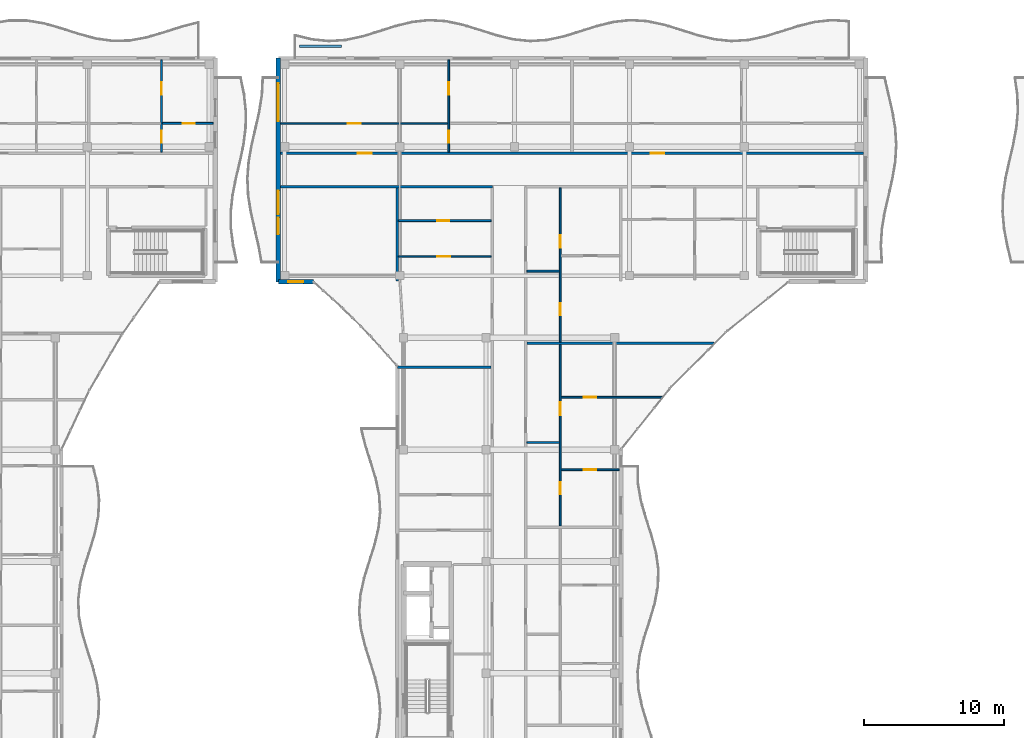
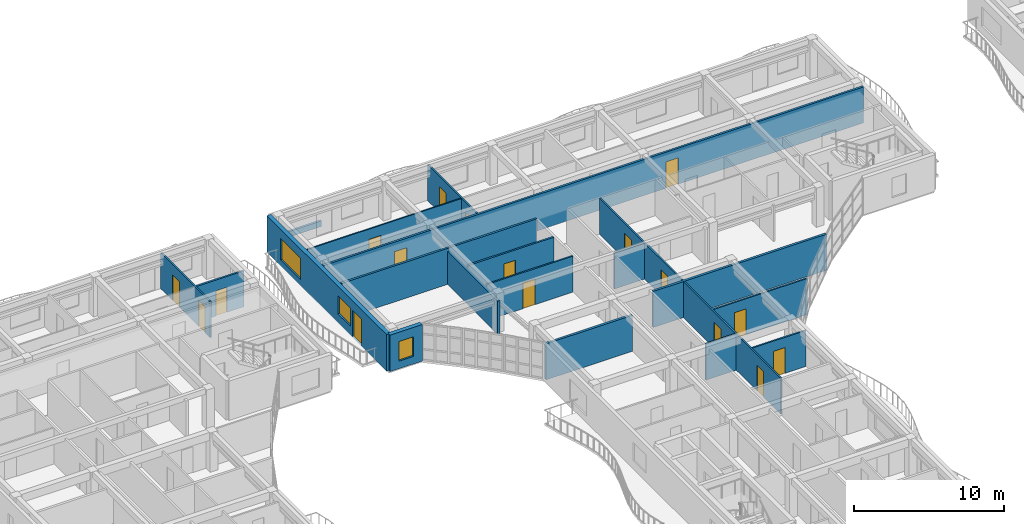
# One storey, part 35 of 72: 20 walls, 17 doors, 3 windows, 20 openings.
"""IFC4 building model written with IfcOpenShell, lengths in metres."""

from ifc_helpers import new_model, si_unit, direction, frame, frame_2d, origin, place, context, subcontext, project, spatial, rectangle, extrude, material, layer, layer_set, type_object, element, fill, save


model = new_model("IFC4")

# Units and contexts
model_context = context("Model", 3, precision=1e-05, world=origin(), true_north=direction((0.0, 1.0)))
body_context = subcontext(model_context, "Body", "Model", "MODEL_VIEW")
ifc_project = project(units=[si_unit("LENGTHUNIT", "METRE"), si_unit("AREAUNIT", "SQUARE_METRE"), si_unit("VOLUMEUNIT", "CUBIC_METRE"), si_unit("PLANEANGLEUNIT", "RADIAN"), si_unit("MASSUNIT", "GRAM", prefix="KILO")], contexts=[model_context])

# Site, building, storey
site_placement = place(None, origin())
site = spatial("IfcSite", under=ifc_project, at=site_placement, CompositionType="ELEMENT")
building_placement = place(site_placement, origin())
building = spatial("IfcBuilding", under=site, at=building_placement, Name="Keldmere Railside Commons", CompositionType="ELEMENT")
storey_placement = place(building_placement, frame((0.0, 0.0, 16.9599609375)))
storey = spatial("IfcBuildingStorey", under=building, at=storey_placement, Name="L05", CompositionType="ELEMENT", Elevation=16.9599609375)

# Walls
ifc_material_1 = material(Name="Acoustic Gypsum Board Partition", Category="gypsum")
ifc_layer_1 = layer(ifc_material_1, 0.179931640625, Name="Acoustic Demising Partition 180")
ifc_layer_set_1 = layer_set([ifc_layer_1], Name="Acoustic Gypsum Board Partition")
wall_type_1 = type_object("IfcWallType", Name="Acoustic Demising Partition 180", PredefinedType="PARTITIONING", material=ifc_layer_set_1)
wall_1_placement = place(storey_placement, frame((48.0, 100.050048828125, 0.0), z_axis=(0.0, 0.0, 1.0), x_axis=(0.0, 1.0, 0.0)))
element("IfcWall", 1, at=wall_1_placement, inside=storey, type_object=wall_type_1, Name="IW-1 IW-L05-0690", PredefinedType="PARTITIONING", context=body_context, shape_type="SweptSolid", body=[
    extrude(rectangle(XDim=6.669921875, YDim=0.179931640625, at=frame_2d((3.3349609375, 0.0))), origin(), (0.0, 0.0, 1.0), 2.679931640625),
])
wall_2_placement = place(storey_placement, frame((57.280029296875, 95.60009765625, 0.0), z_axis=(0.0, 0.0, 1.0), x_axis=(1.0, 0.0, 0.0)))
element("IfcWall", 2, at=wall_2_placement, inside=storey, type_object=wall_type_1, Name="IW-1 IW-L05-0695", PredefinedType="PARTITIONING", context=body_context, shape_type="SweptSolid", body=[
    extrude(rectangle(XDim=13.387451171875, YDim=0.179931640625, at=frame_2d((6.69384765625, 0.0))), origin(), (0.0, 0.0, 1.0), 2.93505859375),
])
wall_3_placement = place(storey_placement, frame((48.0400390625, 93.89990234375, 0.0), z_axis=(0.0, 0.0, 1.0), x_axis=(1.0, 0.0, 0.0)))
element("IfcWall", 3, at=wall_3_placement, inside=storey, type_object=wall_type_1, Name="IW-1 IW-L05-0717", PredefinedType="PARTITIONING", context=body_context, shape_type="SweptSolid", body=[
    extrude(rectangle(XDim=6.679931640625, YDim=0.179931640625, at=frame_2d((3.33984375, 0.0))), origin(), (0.0, 0.0, 1.0), 2.93505859375),
])

# Wall, openings, doors
ifc_layer_2 = layer(ifc_material_1, 0.1201171875, Name="Apartment Interior Partition 120")
ifc_layer_set_2 = layer_set([ifc_layer_2], Name="Acoustic Gypsum Board Partition")
wall_type_2 = type_object("IfcWallType", Name="Apartment Interior Partition 120", PredefinedType="PARTITIONING", material=ifc_layer_set_2)
wall_4_placement = place(storey_placement, frame((31.139892578125, 109.280029296875, 0.0), z_axis=(0.0, 0.0, 1.0), x_axis=(0.0, 1.0, 0.0)))
wall_4 = element("IfcWall", 4, at=wall_4_placement, inside=storey, type_object=wall_type_2, Name="IW-4 IW-L05-0397", PredefinedType="PARTITIONING", context=body_context, shape_type="SweptSolid", body=[
    extrude(rectangle(XDim=6.599853515625, YDim=0.1201171875, at=frame_2d((3.2998046875, 0.0))), origin(), (0.0, 0.0, 1.0), 2.93505859375),
])
opening_1_placement = place(wall_4_placement, frame((0.656005859375, 0.0, 0.0)))
opening_1 = element("IfcOpeningElement", 5, at=opening_1_placement, cuts=wall_4, Name="Opening ID-04", PredefinedType="OPENING", context=body_context, shape_type="SweptSolid", body=[
    extrude(rectangle(XDim=0.860107421875, YDim=2.10009765625, at=frame_2d((0.43017578125, 1.050048828125))), frame((0.0, 0.070068359375, 0.0), z_axis=(0.0, -1.0, 0.0), x_axis=(1.0, 0.0, 0.0)), (0.0, 0.0, 1.0), 0.14013671875),
])
opening_2_placement = place(wall_4_placement, frame((4.097412109375, 0.0, 0.0)))
opening_2 = element("IfcOpeningElement", 6, at=opening_2_placement, cuts=wall_4, Name="Opening ID-01", PredefinedType="OPENING", context=body_context, shape_type="SweptSolid", body=[
    extrude(rectangle(XDim=0.89990234375, YDim=2.10009765625, at=frame_2d((0.449951171875, 1.050048828125))), frame((0.0, 0.070068359375, 0.0), z_axis=(0.0, -1.0, 0.0), x_axis=(1.0, 0.0, 0.0)), (0.0, 0.0, 1.0), 0.14013671875),
])
ifc_material_2 = material(Name="Engineered Oak Timber", Category="wood")
door_type_1 = type_object("IfcDoorType", Name="Apartment Bathroom Door 860x2100", OperationType="NOTDEFINED", PredefinedType="DOOR", material=ifc_material_2)
door_1_placement = place(opening_1_placement, origin())
door_1 = element("IfcDoor", 7, at=door_1_placement, inside=storey, type_object=door_type_1, Name="ID-04 IDR-L05-0303", OperationType="SINGLE_SWING_LEFT", OverallHeight=2.10009765625, OverallWidth=0.860107421875, PredefinedType="DOOR", context=body_context, shape_type="SweptSolid", body=[
    extrude(rectangle(XDim=0.860107421875, YDim=2.10009765625, at=frame_2d((0.43017578125, 1.050048828125))), frame((0.0, 0.02490234375, 0.0), z_axis=(0.0, -1.0, 0.0), x_axis=(1.0, 0.0, 0.0)), (0.0, 0.0, 1.0), 0.050048828125),
])
fill(opening_1, door_1)
door_type_2 = type_object("IfcDoorType", Name="Primary Bedroom Door 900x2100", OperationType="NOTDEFINED", PredefinedType="DOOR", material=ifc_material_2)
door_2_placement = place(opening_2_placement, origin())
door_2 = element("IfcDoor", 8, at=door_2_placement, inside=storey, type_object=door_type_2, Name="ID-01 IDR-L05-0304", OperationType="SINGLE_SWING_RIGHT", OverallHeight=2.10009765625, OverallWidth=0.89990234375, PredefinedType="DOOR", context=body_context, shape_type="SweptSolid", body=[
    extrude(rectangle(XDim=0.89990234375, YDim=2.10009765625, at=frame_2d((0.449951171875, 1.050048828125))), frame((0.0, 0.02490234375, 0.0), z_axis=(0.0, -1.0, 0.0), x_axis=(1.0, 0.0, 0.0)), (0.0, 0.0, 1.0), 0.050048828125),
])
fill(opening_2, door_2)

wall_5_placement = place(storey_placement, frame((59.659912109375, 82.5400390625, 0.0), z_axis=(0.0, 0.0, 1.0), x_axis=(0.0, 1.0, 0.0)))
wall_5 = element("IfcWall", 9, at=wall_5_placement, inside=storey, type_object=wall_type_2, Name="IW-4 IW-L05-0700", PredefinedType="PARTITIONING", context=body_context, shape_type="SweptSolid", body=[
    extrude(rectangle(XDim=12.969970703125, YDim=0.1201171875, at=frame_2d((6.48486328125, 0.0))), origin(), (0.0, 0.0, 1.0), 2.93505859375),
])
opening_3_placement = place(wall_5_placement, frame((2.2685546875, 0.0, 0.0)))
opening_3 = element("IfcOpeningElement", 10, at=opening_3_placement, cuts=wall_5, Name="Opening ID-04", PredefinedType="OPENING", context=body_context, shape_type="SweptSolid", body=[
    extrude(rectangle(XDim=0.860107421875, YDim=2.10009765625, at=frame_2d((0.43017578125, 1.050048828125))), frame((0.0, 0.070068359375, 0.0), z_axis=(0.0, -1.0, 0.0), x_axis=(1.0, 0.0, 0.0)), (0.0, 0.0, 1.0), 0.14013671875),
])
opening_4_placement = place(wall_5_placement, frame((7.929931640625, 0.0, 0.0)))
opening_4 = element("IfcOpeningElement", 11, at=opening_4_placement, cuts=wall_5, Name="Opening ID-03", PredefinedType="OPENING", context=body_context, shape_type="SweptSolid", body=[
    extrude(rectangle(XDim=0.919921875, YDim=2.10009765625, at=frame_2d((0.4599609375, 1.050048828125))), frame((0.0, 0.070068359375, 0.0), z_axis=(0.0, -1.0, 0.0), x_axis=(1.0, 0.0, 0.0)), (0.0, 0.0, 1.0), 0.14013671875),
])
door_3_placement = place(opening_3_placement, origin())
door_3 = element("IfcDoor", 12, at=door_3_placement, inside=storey, type_object=door_type_1, Name="ID-04 IDR-L05-0584", OperationType="SINGLE_SWING_RIGHT", OverallHeight=2.10009765625, OverallWidth=0.860107421875, PredefinedType="DOOR", context=body_context, shape_type="SweptSolid", body=[
    extrude(rectangle(XDim=0.860107421875, YDim=2.10009765625, at=frame_2d((0.43017578125, 1.050048828125))), frame((0.0, 0.02490234375, 0.0), z_axis=(0.0, -1.0, 0.0), x_axis=(1.0, 0.0, 0.0)), (0.0, 0.0, 1.0), 0.050048828125),
])
fill(opening_3, door_3)
door_type_3 = type_object("IfcDoorType", Name="Kitchen Pocket-Frame Swing Door 920x2100", OperationType="NOTDEFINED", PredefinedType="DOOR", material=ifc_material_2)
door_4_placement = place(opening_4_placement, origin())
door_4 = element("IfcDoor", 13, at=door_4_placement, inside=storey, type_object=door_type_3, Name="ID-03 IDR-L05-0585", OperationType="SINGLE_SWING_LEFT", OverallHeight=2.10009765625, OverallWidth=0.919921875, PredefinedType="DOOR", context=body_context, shape_type="SweptSolid", body=[
    extrude(rectangle(XDim=0.919921875, YDim=2.10009765625, at=frame_2d((0.4599609375, 1.050048828125))), frame((0.0, 0.02490234375, 0.0), z_axis=(0.0, -1.0, 0.0), x_axis=(1.0, 0.0, 0.0)), (0.0, 0.0, 1.0), 0.050048828125),
])
fill(opening_4, door_4)

# Wall, opening, door
wall_6_placement = place(storey_placement, frame((59.719970703125, 86.56005859375, 0.0), z_axis=(0.0, 0.0, 1.0), x_axis=(1.0, 0.0, 0.0)))
wall_6 = element("IfcWall", 14, at=wall_6_placement, inside=storey, type_object=wall_type_2, Name="IW-4 IW-L05-0702", PredefinedType="PARTITIONING", context=body_context, shape_type="SweptSolid", body=[
    extrude(rectangle(XDim=4.150146484375, YDim=0.1201171875, at=frame_2d((2.0751953125, 0.0))), origin(), (0.0, 0.0, 1.0), 2.93505859375),
])
opening_5_placement = place(wall_6_placement, frame((1.625, 0.0, 0.0)))
opening_5 = element("IfcOpeningElement", 15, at=opening_5_placement, cuts=wall_6, Name="Opening ID-01", PredefinedType="OPENING", context=body_context, shape_type="SweptSolid", body=[
    extrude(rectangle(XDim=0.89990234375, YDim=2.10009765625, at=frame_2d((0.449951171875, 1.050048828125))), frame((0.0, 0.070068359375, 0.0), z_axis=(0.0, -1.0, 0.0), x_axis=(1.0, 0.0, 0.0)), (0.0, 0.0, 1.0), 0.14013671875),
])
door_5_placement = place(opening_5_placement, origin())
door_5 = element("IfcDoor", 16, at=door_5_placement, inside=storey, type_object=door_type_2, Name="ID-01 IDR-L05-0587", OperationType="SINGLE_SWING_LEFT", OverallHeight=2.10009765625, OverallWidth=0.89990234375, PredefinedType="DOOR", context=body_context, shape_type="SweptSolid", body=[
    extrude(rectangle(XDim=0.89990234375, YDim=2.10009765625, at=frame_2d((0.449951171875, 1.050048828125))), frame((0.0, 0.02490234375, 0.0), z_axis=(0.0, -1.0, 0.0), x_axis=(1.0, 0.0, 0.0)), (0.0, 0.0, 1.0), 0.050048828125),
])
fill(opening_5, door_5)

wall_7_placement = place(storey_placement, frame((59.719970703125, 91.75, 0.0), z_axis=(0.0, 0.0, 1.0), x_axis=(1.0, 0.0, 0.0)))
wall_7 = element("IfcWall", 17, at=wall_7_placement, inside=storey, type_object=wall_type_2, Name="IW-4 IW-L05-0703", PredefinedType="PARTITIONING", context=body_context, shape_type="SweptSolid", body=[
    extrude(rectangle(XDim=7.2373046875, YDim=0.1201171875, at=frame_2d((3.61865234375, 0.0))), origin(), (0.0, 0.0, 1.0), 2.93505859375),
])
opening_6_placement = place(wall_7_placement, frame((1.635009765625, 0.0, 0.0)))
opening_6 = element("IfcOpeningElement", 18, at=opening_6_placement, cuts=wall_7, Name="Opening ID-02", PredefinedType="OPENING", context=body_context, shape_type="SweptSolid", body=[
    extrude(rectangle(XDim=0.8798828125, YDim=2.10009765625, at=frame_2d((0.43994140625, 1.050048828125))), frame((0.0, 0.070068359375, 0.0), z_axis=(0.0, -1.0, 0.0), x_axis=(1.0, 0.0, 0.0)), (0.0, 0.0, 1.0), 0.14013671875),
])
door_type_4 = type_object("IfcDoorType", Name="Secondary Bedroom Door 880x2100", OperationType="NOTDEFINED", PredefinedType="DOOR", material=ifc_material_2)
door_6_placement = place(opening_6_placement, origin())
door_6 = element("IfcDoor", 19, at=door_6_placement, inside=storey, type_object=door_type_4, Name="ID-02 IDR-L05-0588", OperationType="SINGLE_SWING_RIGHT", OverallHeight=2.10009765625, OverallWidth=0.8798828125, PredefinedType="DOOR", context=body_context, shape_type="SweptSolid", body=[
    extrude(rectangle(XDim=0.8798828125, YDim=2.10009765625, at=frame_2d((0.43994140625, 1.050048828125))), frame((0.0, 0.02490234375, 0.0), z_axis=(0.0, -1.0, 0.0), x_axis=(1.0, 0.0, 0.0)), (0.0, 0.0, 1.0), 0.050048828125),
])
fill(opening_6, door_6)

# Wall, openings, doors
wall_8_placement = place(storey_placement, frame((59.659912109375, 95.68994140625, 0.0), z_axis=(0.0, 0.0, 1.0), x_axis=(0.0, 1.0, 0.0)))
wall_8 = element("IfcWall", 20, at=wall_8_placement, inside=storey, type_object=wall_type_2, Name="IW-4 IW-L05-0704", PredefinedType="PARTITIONING", context=body_context, shape_type="SweptSolid", body=[
    extrude(rectangle(XDim=11.030029296875, YDim=0.1201171875, at=frame_2d((5.51513671875, 0.0))), origin(), (0.0, 0.0, 1.0), 2.93505859375),
])
opening_7_placement = place(wall_8_placement, frame((1.926513671875, 0.0, 0.0)))
opening_7 = element("IfcOpeningElement", 21, at=opening_7_placement, cuts=wall_8, Name="Opening ID-04", PredefinedType="OPENING", context=body_context, shape_type="SweptSolid", body=[
    extrude(rectangle(XDim=0.860107421875, YDim=2.10009765625, at=frame_2d((0.43017578125, 1.050048828125))), frame((0.0, 0.070068359375, 0.0), z_axis=(0.0, -1.0, 0.0), x_axis=(1.0, 0.0, 0.0)), (0.0, 0.0, 1.0), 0.14013671875),
])
opening_8_placement = place(wall_8_placement, frame((6.73876953125, 0.0, 0.0)))
opening_8 = element("IfcOpeningElement", 22, at=opening_8_placement, cuts=wall_8, Name="Opening ID-03", PredefinedType="OPENING", context=body_context, shape_type="SweptSolid", body=[
    extrude(rectangle(XDim=0.919921875, YDim=2.10009765625, at=frame_2d((0.4599609375, 1.050048828125))), frame((0.0, 0.070068359375, 0.0), z_axis=(0.0, -1.0, 0.0), x_axis=(1.0, 0.0, 0.0)), (0.0, 0.0, 1.0), 0.14013671875),
])
door_7_placement = place(opening_7_placement, origin())
door_7 = element("IfcDoor", 23, at=door_7_placement, inside=storey, type_object=door_type_1, Name="ID-04 IDR-L05-0589", OperationType="SINGLE_SWING_LEFT", OverallHeight=2.10009765625, OverallWidth=0.860107421875, PredefinedType="DOOR", context=body_context, shape_type="SweptSolid", body=[
    extrude(rectangle(XDim=0.860107421875, YDim=2.10009765625, at=frame_2d((0.43017578125, 1.050048828125))), frame((0.0, 0.02490234375, 0.0), z_axis=(0.0, -1.0, 0.0), x_axis=(1.0, 0.0, 0.0)), (0.0, 0.0, 1.0), 0.050048828125),
])
fill(opening_7, door_7)
door_8_placement = place(opening_8_placement, origin())
door_8 = element("IfcDoor", 24, at=door_8_placement, inside=storey, type_object=door_type_3, Name="ID-03 IDR-L05-0590", OperationType="SINGLE_SWING_RIGHT", OverallHeight=2.10009765625, OverallWidth=0.919921875, PredefinedType="DOOR", context=body_context, shape_type="SweptSolid", body=[
    extrude(rectangle(XDim=0.919921875, YDim=2.10009765625, at=frame_2d((0.4599609375, 1.050048828125))), frame((0.0, 0.02490234375, 0.0), z_axis=(0.0, -1.0, 0.0), x_axis=(1.0, 0.0, 0.0)), (0.0, 0.0, 1.0), 0.050048828125),
])
fill(opening_8, door_8)

wall_9_placement = place(storey_placement, frame((51.68994140625, 109.280029296875, 0.0), z_axis=(0.0, 0.0, 1.0), x_axis=(0.0, 1.0, 0.0)))
wall_9 = element("IfcWall", 25, at=wall_9_placement, inside=storey, type_object=wall_type_2, Name="IW-4 IW-L05-0708", PredefinedType="PARTITIONING", context=body_context, shape_type="SweptSolid", body=[
    extrude(rectangle(XDim=6.590087890625, YDim=0.1201171875, at=frame_2d((3.294921875, 0.0))), origin(), (0.0, 0.0, 1.0), 2.93505859375),
])
opening_9_placement = place(wall_9_placement, frame((0.656005859375, 0.0, 0.0)))
opening_9 = element("IfcOpeningElement", 26, at=opening_9_placement, cuts=wall_9, Name="Opening ID-04", PredefinedType="OPENING", context=body_context, shape_type="SweptSolid", body=[
    extrude(rectangle(XDim=0.860107421875, YDim=2.10009765625, at=frame_2d((0.43017578125, 1.050048828125))), frame((0.0, 0.070068359375, 0.0), z_axis=(0.0, -1.0, 0.0), x_axis=(1.0, 0.0, 0.0)), (0.0, 0.0, 1.0), 0.14013671875),
])
opening_10_placement = place(wall_9_placement, frame((4.093017578125, 0.0, 0.0)))
opening_10 = element("IfcOpeningElement", 27, at=opening_10_placement, cuts=wall_9, Name="Opening ID-01", PredefinedType="OPENING", context=body_context, shape_type="SweptSolid", body=[
    extrude(rectangle(XDim=0.89990234375, YDim=2.10009765625, at=frame_2d((0.449951171875, 1.050048828125))), frame((0.0, 0.070068359375, 0.0), z_axis=(0.0, -1.0, 0.0), x_axis=(1.0, 0.0, 0.0)), (0.0, 0.0, 1.0), 0.14013671875),
])
door_9_placement = place(opening_9_placement, origin())
door_9 = element("IfcDoor", 28, at=door_9_placement, inside=storey, type_object=door_type_1, Name="ID-04 IDR-L05-0595", OperationType="SINGLE_SWING_LEFT", OverallHeight=2.10009765625, OverallWidth=0.860107421875, PredefinedType="DOOR", context=body_context, shape_type="SweptSolid", body=[
    extrude(rectangle(XDim=0.860107421875, YDim=2.10009765625, at=frame_2d((0.43017578125, 1.050048828125))), frame((0.0, 0.02490234375, 0.0), z_axis=(0.0, -1.0, 0.0), x_axis=(1.0, 0.0, 0.0)), (0.0, 0.0, 1.0), 0.050048828125),
])
fill(opening_9, door_9)
door_10_placement = place(opening_10_placement, origin())
door_10 = element("IfcDoor", 29, at=door_10_placement, inside=storey, type_object=door_type_2, Name="ID-01 IDR-L05-0596", OperationType="SINGLE_SWING_RIGHT", OverallHeight=2.10009765625, OverallWidth=0.89990234375, PredefinedType="DOOR", context=body_context, shape_type="SweptSolid", body=[
    extrude(rectangle(XDim=0.89990234375, YDim=2.10009765625, at=frame_2d((0.449951171875, 1.050048828125))), frame((0.0, 0.02490234375, 0.0), z_axis=(0.0, -1.0, 0.0), x_axis=(1.0, 0.0, 0.0)), (0.0, 0.0, 1.0), 0.050048828125),
])
fill(opening_10, door_10)

# Wall, opening, door
wall_10_placement = place(storey_placement, frame((48.090087890625, 101.820068359375, 0.0), z_axis=(0.0, 0.0, 1.0), x_axis=(1.0, 0.0, 0.0)))
wall_10 = element("IfcWall", 30, at=wall_10_placement, inside=storey, type_object=wall_type_2, Name="IW-4 IW-L05-0720", PredefinedType="PARTITIONING", context=body_context, shape_type="SweptSolid", body=[
    extrude(rectangle(XDim=6.6298828125, YDim=0.1201171875, at=frame_2d((3.31494140625, 0.0))), origin(), (0.0, 0.0, 1.0), 2.93505859375),
])
opening_11_placement = place(wall_10_placement, frame((2.78466796875, 0.0, 0.0)))
opening_11 = element("IfcOpeningElement", 31, at=opening_11_placement, cuts=wall_10, Name="Opening ID-03", PredefinedType="OPENING", context=body_context, shape_type="SweptSolid", body=[
    extrude(rectangle(XDim=0.919921875, YDim=2.10009765625, at=frame_2d((0.4599609375, 1.050048828125))), frame((0.0, 0.070068359375, 0.0), z_axis=(0.0, -1.0, 0.0), x_axis=(1.0, 0.0, 0.0)), (0.0, 0.0, 1.0), 0.14013671875),
])
door_11_placement = place(opening_11_placement, origin())
door_11 = element("IfcDoor", 32, at=door_11_placement, inside=storey, type_object=door_type_3, Name="ID-03 IDR-L05-0612", OperationType="SINGLE_SWING_RIGHT", OverallHeight=2.10009765625, OverallWidth=0.919921875, PredefinedType="DOOR", context=body_context, shape_type="SweptSolid", body=[
    extrude(rectangle(XDim=0.919921875, YDim=2.10009765625, at=frame_2d((0.4599609375, 1.050048828125))), frame((0.0, 0.02490234375, 0.0), z_axis=(0.0, -1.0, 0.0), x_axis=(1.0, 0.0, 0.0)), (0.0, 0.0, 1.0), 0.050048828125),
])
fill(opening_11, door_11)

# Wall
ifc_material_3 = material(Name="White Precast Concrete H-35 (C35/45)", Category="concrete")
ifc_layer_3 = layer(ifc_material_3, 0.169921875, Name="Balcony Planter Kerb Wall 170")
ifc_layer_set_3 = layer_set([ifc_layer_3], Name="White Precast Concrete H-35 (C35/45)")
wall_type_3 = type_object("IfcWallType", Name="Balcony Planter Kerb Wall 170", PredefinedType="PARAPET", material=ifc_layer_set_3)
wall_11_placement = place(storey_placement, frame((41.0, 116.85009765625, 0.0), z_axis=(0.0, 0.0, 1.0), x_axis=(1.0, 0.0, 0.0)))
element("IfcWall", 33, at=wall_11_placement, inside=storey, type_object=wall_type_3, Name="PW-2 PKBC-L05-0370", PredefinedType="PARAPET", context=body_context, shape_type="SweptSolid", body=[
    extrude(rectangle(XDim=3.0, YDim=0.169921875, at=frame_2d((1.5, 0.0))), origin(), (0.0, 0.0, 1.0), 0.449951171875),
])

# Wall, opening, door
ifc_layer_4 = layer(ifc_material_1, 0.10009765625, Name="Closet Light Partition 100")
ifc_layer_set_4 = layer_set([ifc_layer_4], Name="Acoustic Gypsum Board Partition")
wall_type_4 = type_object("IfcWallType", Name="Closet Light Partition 100", PredefinedType="PARTITIONING", material=ifc_layer_set_4)
wall_12_placement = place(storey_placement, frame((39.659912109375, 111.330078125, 0.0), z_axis=(0.0, 0.0, 1.0), x_axis=(1.0, 0.0, 0.0)))
wall_12 = element("IfcWall", 34, at=wall_12_placement, inside=storey, type_object=wall_type_4, Name="IW-6 IW-L05-0710", PredefinedType="PARTITIONING", context=body_context, shape_type="SweptSolid", body=[
    extrude(rectangle(XDim=11.969970703125, YDim=0.10009765625, at=frame_2d((5.98486328125, 0.0))), origin(), (0.0, 0.0, 1.0), 2.93505859375),
])
opening_12_placement = place(wall_12_placement, frame((4.81201171875, 0.0, 0.0)))
opening_12 = element("IfcOpeningElement", 35, at=opening_12_placement, cuts=wall_12, Name="Opening ID-03", PredefinedType="OPENING", context=body_context, shape_type="SweptSolid", body=[
    extrude(rectangle(XDim=0.919921875, YDim=2.10009765625, at=frame_2d((0.4599609375, 1.050048828125))), frame((0.0, 0.06005859375, 0.0), z_axis=(0.0, -1.0, 0.0), x_axis=(1.0, 0.0, 0.0)), (0.0, 0.0, 1.0), 0.1201171875),
])
door_12_placement = place(opening_12_placement, origin())
door_12 = element("IfcDoor", 36, at=door_12_placement, inside=storey, type_object=door_type_3, Name="ID-03 IDR-L05-0594", OperationType="SINGLE_SWING_RIGHT", OverallHeight=2.10009765625, OverallWidth=0.919921875, PredefinedType="DOOR", context=body_context, shape_type="SweptSolid", body=[
    extrude(rectangle(XDim=0.919921875, YDim=2.10009765625, at=frame_2d((0.4599609375, 1.050048828125))), frame((0.0, 0.02490234375, 0.0), z_axis=(0.0, -1.0, 0.0), x_axis=(1.0, 0.0, 0.0)), (0.0, 0.0, 1.0), 0.050048828125),
])
fill(opening_12, door_12)

# Wall
ifc_layer_5 = layer(ifc_material_1, 0.159912109375, Name="Corridor Fire Partition 160")
ifc_layer_set_5 = layer_set([ifc_layer_5], Name="Acoustic Gypsum Board Partition")
wall_type_5 = type_object("IfcWallType", Name="Corridor Fire Partition 160", PredefinedType="PARTITIONING", material=ifc_layer_set_5)
wall_13_placement = place(storey_placement, frame((39.659912109375, 106.800048828125, 0.0), z_axis=(0.0, 0.0, 1.0), x_axis=(1.0, 0.0, 0.0)))
element("IfcWall", 37, at=wall_13_placement, inside=storey, type_object=wall_type_5, Name="IW-2 IW-L05-0686", PredefinedType="PARTITIONING", context=body_context, shape_type="SweptSolid", body=[
    extrude(rectangle(XDim=15.14013671875, YDim=0.159912109375, at=frame_2d((7.570068359375, 0.0))), origin(), (0.0, 0.0, 1.0), 2.93505859375),
])

# Wall, openings, doors
wall_14_placement = place(storey_placement, frame((39.659912109375, 109.199951171875, 0.0), z_axis=(0.0, 0.0, 1.0), x_axis=(1.0, 0.0, 0.0)))
wall_14 = element("IfcWall", 38, at=wall_14_placement, inside=storey, type_object=wall_type_5, Name="IW-2 IW-L05-0688", PredefinedType="PARTITIONING", context=body_context, shape_type="SweptSolid", body=[
    extrude(rectangle(XDim=41.68017578125, YDim=0.159912109375, at=frame_2d((20.840087890625, 0.0))), origin(), (0.0, 0.0, 1.0), 2.93505859375),
])
opening_13_placement = place(wall_14_placement, frame((5.52490234375, 0.0, 0.0)))
opening_13 = element("IfcOpeningElement", 39, at=opening_13_placement, cuts=wall_14, Name="Opening FD-7", PredefinedType="OPENING", context=body_context, shape_type="SweptSolid", body=[
    extrude(rectangle(XDim=0.97998046875, YDim=2.14990234375, at=frame_2d((0.489990234375, 1.074951171875))), frame((0.0, 0.08984375, 0.0), z_axis=(0.0, -1.0, 0.0), x_axis=(1.0, 0.0, 0.0)), (0.0, 0.0, 1.0), 0.179931640625),
])
opening_14_placement = place(wall_14_placement, frame((26.455078125, 0.0, 0.0)))
opening_14 = element("IfcOpeningElement", 40, at=opening_14_placement, cuts=wall_14, Name="Opening FD-7", PredefinedType="OPENING", context=body_context, shape_type="SweptSolid", body=[
    extrude(rectangle(XDim=0.97998046875, YDim=2.14990234375, at=frame_2d((0.489990234375, 1.074951171875))), frame((0.0, 0.08984375, 0.0), z_axis=(0.0, -1.0, 0.0), x_axis=(1.0, 0.0, 0.0)), (0.0, 0.0, 1.0), 0.179931640625),
])
door_type_5 = type_object("IfcDoorType", Name="Apartment Entrance Acoustic Fire Door 980x2150", OperationType="NOTDEFINED", PredefinedType="DOOR", material=ifc_material_2)
door_13_placement = place(opening_13_placement, origin())
door_13 = element("IfcDoor", 41, at=door_13_placement, inside=storey, type_object=door_type_5, Name="FD-7 IDR-L05-0593", OperationType="SINGLE_SWING_LEFT", OverallHeight=2.14990234375, OverallWidth=0.97998046875, PredefinedType="DOOR", context=body_context, shape_type="SweptSolid", body=[
    extrude(rectangle(XDim=0.97998046875, YDim=2.14990234375, at=frame_2d((0.489990234375, 1.074951171875))), frame((0.0, 0.02490234375, 0.0), z_axis=(0.0, -1.0, 0.0), x_axis=(1.0, 0.0, 0.0)), (0.0, 0.0, 1.0), 0.050048828125),
])
fill(opening_13, door_13)
door_14_placement = place(opening_14_placement, origin())
door_14 = element("IfcDoor", 42, at=door_14_placement, inside=storey, type_object=door_type_5, Name="FD-7 IDR-L05-0598", OperationType="SINGLE_SWING_RIGHT", OverallHeight=2.14990234375, OverallWidth=0.97998046875, PredefinedType="DOOR", context=body_context, shape_type="SweptSolid", body=[
    extrude(rectangle(XDim=0.97998046875, YDim=2.14990234375, at=frame_2d((0.489990234375, 1.074951171875))), frame((0.0, 0.02490234375, 0.0), z_axis=(0.0, -1.0, 0.0), x_axis=(1.0, 0.0, 0.0)), (0.0, 0.0, 1.0), 0.050048828125),
])
fill(opening_14, door_14)

# Wall, openings, door, windows
ifc_material_4 = material(Name="Concrete H-35 (C35/45)", Category="concrete")
ifc_layer_6 = layer(ifc_material_4, 0.320068359375, Name="Exterior Shear Wall 320")
ifc_layer_set_6 = layer_set([ifc_layer_6], Name="Concrete H-35 (C35/45)")
wall_type_6 = type_object("IfcWallType", Name="Exterior Shear Wall 320", PredefinedType="SHEAR", material=ifc_layer_set_6)
wall_15_placement = place(storey_placement, frame((39.5, 100.0, 0.0), z_axis=(0.0, 0.0, 1.0), x_axis=(0.0, 1.0, 0.0)))
wall_15 = element("IfcWall", 43, at=wall_15_placement, inside=storey, type_object=wall_type_6, Name="ESW-2 EXTC-L05-0367", PredefinedType="SHEAR", context=body_context, shape_type="SweptSolid", body=[
    extrude(rectangle(XDim=16.0, YDim=0.320068359375, at=frame_2d((8.0, 0.0))), origin(), (0.0, 0.0, 1.0), 2.97998046875),
])
opening_15_placement = place(wall_15_placement, frame((3.39990234375, 0.0, 0.0)))
opening_15 = element("IfcOpeningElement", 44, at=opening_15_placement, cuts=wall_15, Name="Opening BD-01", PredefinedType="OPENING", context=body_context, shape_type="SweptSolid", body=[
    extrude(rectangle(XDim=1.199951171875, YDim=2.199951171875, at=frame_2d((0.60009765625, 1.10009765625))), frame((0.0, 0.169921875, 0.0), z_axis=(0.0, -1.0, 0.0), x_axis=(1.0, 0.0, 0.0)), (0.0, 0.0, 1.0), 0.340087890625),
])
opening_16_placement = place(wall_15_placement, frame((4.85009765625, 0.0, 0.719970703125)))
opening_16 = element("IfcOpeningElement", 45, at=opening_16_placement, cuts=wall_15, Name="Opening WN-40", PredefinedType="OPENING", context=body_context, shape_type="SweptSolid", body=[
    extrude(rectangle(XDim=1.679931640625, YDim=1.5, at=frame_2d((0.83984375, 0.75))), frame((0.0, 0.169921875, 0.0), z_axis=(0.0, -1.0, 0.0), x_axis=(1.0, 0.0, 0.0)), (0.0, 0.0, 1.0), 0.340087890625),
])
opening_17_placement = place(wall_15_placement, frame((11.5, 0.0, 0.469970703125)))
opening_17 = element("IfcOpeningElement", 46, at=opening_17_placement, cuts=wall_15, Name="Opening WN-19", PredefinedType="OPENING", context=body_context, shape_type="SweptSolid", body=[
    extrude(rectangle(XDim=2.699951171875, YDim=1.75, at=frame_2d((1.35009765625, 0.875))), frame((0.0, 0.169921875, 0.0), z_axis=(0.0, -1.0, 0.0), x_axis=(1.0, 0.0, 0.0)), (0.0, 0.0, 1.0), 0.340087890625),
])
ifc_material_5 = material(Name="Thermally Broken Aluminium", Category="aluminium")
door_type_6 = type_object("IfcDoorType", Name="Apartment Living Wave-Balcony Glazed Door 1200x2200", OperationType="NOTDEFINED", PredefinedType="DOOR", material=ifc_material_5)
door_15_placement = place(opening_15_placement, origin())
door_15 = element("IfcDoor", 47, at=door_15_placement, inside=storey, type_object=door_type_6, Name="BD-01 DR-L05-0091", OperationType="SINGLE_SWING_LEFT", OverallHeight=2.199951171875, OverallWidth=1.199951171875, PredefinedType="DOOR", context=body_context, shape_type="SweptSolid", body=[
    extrude(rectangle(XDim=1.199951171875, YDim=2.199951171875, at=frame_2d((0.60009765625, 1.10009765625))), frame((0.0, 0.02490234375, 0.0), z_axis=(0.0, -1.0, 0.0), x_axis=(1.0, 0.0, 0.0)), (0.0, 0.0, 1.0), 0.050048828125),
])
fill(opening_15, door_15)
ifc_material_6 = material(Name="Low-E Insulated Double Glazing", Category="glass")
window_type_1 = type_object("IfcWindowType", Name="Resident Lounge Panorama Window 2700x1750", PartitioningType="SINGLE_PANEL", PredefinedType="WINDOW", material=ifc_material_6)
window_1_placement = place(opening_17_placement, origin())
window_1 = element("IfcWindow", 48, at=window_1_placement, inside=storey, type_object=window_type_1, Name="WN-19 WIN-L05-0263", OverallHeight=1.75, OverallWidth=2.699951171875, PartitioningType="SINGLE_PANEL", PredefinedType="WINDOW", context=body_context, shape_type="SweptSolid", body=[
    extrude(rectangle(XDim=2.699951171875, YDim=1.75, at=frame_2d((1.35009765625, 0.875))), frame((0.0, 0.030029296875, 0.0), z_axis=(0.0, -1.0, 0.0), x_axis=(1.0, 0.0, 0.0)), (0.0, 0.0, 1.0), 0.06005859375),
])
fill(opening_17, window_1)
window_type_2 = type_object("IfcWindowType", Name="Two-Bed Dining Casement Window 1680x1500", PartitioningType="SINGLE_PANEL", PredefinedType="WINDOW", material=ifc_material_6)
window_2_placement = place(opening_16_placement, origin())
window_2 = element("IfcWindow", 49, at=window_2_placement, inside=storey, type_object=window_type_2, Name="WN-40 WIN-L05-0262", OverallHeight=1.5, OverallWidth=1.679931640625, PartitioningType="SINGLE_PANEL", PredefinedType="WINDOW", context=body_context, shape_type="SweptSolid", body=[
    extrude(rectangle(XDim=1.679931640625, YDim=1.5, at=frame_2d((0.83984375, 0.75))), frame((0.0, 0.030029296875, 0.0), z_axis=(0.0, -1.0, 0.0), x_axis=(1.0, 0.0, 0.0)), (0.0, 0.0, 1.0), 0.06005859375),
])
fill(opening_16, window_2)

# Wall, opening, window
wall_16_placement = place(storey_placement, frame((42.0, 100.0, 0.0), z_axis=(0.0, 0.0, 1.0), x_axis=(-1.0, 0.0, 0.0)))
wall_16 = element("IfcWall", 50, at=wall_16_placement, inside=storey, type_object=wall_type_6, Name="ESW-2 EXTC-L05-0368", PredefinedType="SHEAR", context=body_context, shape_type="SweptSolid", body=[
    extrude(rectangle(XDim=2.5, YDim=0.320068359375, at=frame_2d((1.25, 0.0))), origin(), (0.0, 0.0, 1.0), 2.97998046875),
])
opening_18_placement = place(wall_16_placement, frame((0.699951171875, 0.0, 0.6201171875)))
opening_18 = element("IfcOpeningElement", 51, at=opening_18_placement, cuts=wall_16, Name="Opening WN-16", PredefinedType="OPENING", context=body_context, shape_type="SweptSolid", body=[
    extrude(rectangle(XDim=1.10009765625, YDim=1.60009765625, at=frame_2d((0.550048828125, 0.800048828125))), frame((0.0, 0.169921875, 0.0), z_axis=(0.0, -1.0, 0.0), x_axis=(1.0, 0.0, 0.0)), (0.0, 0.0, 1.0), 0.340087890625),
])
window_type_3 = type_object("IfcWindowType", Name="Corridor End Daylight Window 1100x1600", PartitioningType="SINGLE_PANEL", PredefinedType="WINDOW", material=ifc_material_6)
window_3_placement = place(opening_18_placement, origin())
window_3 = element("IfcWindow", 52, at=window_3_placement, inside=storey, type_object=window_type_3, Name="WN-16 WIN-L05-0264", OverallHeight=1.60009765625, OverallWidth=1.10009765625, PartitioningType="SINGLE_PANEL", PredefinedType="WINDOW", context=body_context, shape_type="SweptSolid", body=[
    extrude(rectangle(XDim=1.10009765625, YDim=1.60009765625, at=frame_2d((0.550048828125, 0.800048828125))), frame((0.0, 0.030029296875, 0.0), z_axis=(0.0, -1.0, 0.0), x_axis=(1.0, 0.0, 0.0)), (0.0, 0.0, 1.0), 0.06005859375),
])
fill(opening_18, window_3)

# Wall, opening, door
ifc_layer_7 = layer(ifc_material_1, 0.139892578125, Name="Wet-Room Sanitary Partition 140")
ifc_layer_set_7 = layer_set([ifc_layer_7], Name="Acoustic Gypsum Board Partition")
wall_type_7 = type_object("IfcWallType", Name="Wet-Room Sanitary Partition 140", PredefinedType="PARTITIONING", material=ifc_layer_set_7)
wall_17_placement = place(storey_placement, frame((31.199951171875, 111.330078125, 0.0), z_axis=(0.0, 0.0, 1.0), x_axis=(1.0, 0.0, 0.0)))
wall_17 = element("IfcWall", 53, at=wall_17_placement, inside=storey, type_object=wall_type_7, Name="IW-5 IW-L05-0398", PredefinedType="PARTITIONING", context=body_context, shape_type="SweptSolid", body=[
    extrude(rectangle(XDim=3.64013671875, YDim=0.139892578125, at=frame_2d((1.820068359375, 0.0))), origin(), (0.0, 0.0, 1.0), 2.93505859375),
])
opening_19_placement = place(wall_17_placement, frame((1.47998046875, 0.0, 0.0)))
opening_19 = element("IfcOpeningElement", 54, at=opening_19_placement, cuts=wall_17, Name="Opening ID-06", PredefinedType="OPENING", context=body_context, shape_type="SweptSolid", body=[
    extrude(rectangle(XDim=0.85009765625, YDim=2.050048828125, at=frame_2d((0.425048828125, 1.02490234375))), frame((0.0, 0.079833984375, 0.0), z_axis=(0.0, -1.0, 0.0), x_axis=(1.0, 0.0, 0.0)), (0.0, 0.0, 1.0), 0.159912109375),
])
door_type_7 = type_object("IfcDoorType", Name="Storage Closet Door 850x2050", OperationType="NOTDEFINED", PredefinedType="DOOR", material=ifc_material_2)
door_16_placement = place(opening_19_placement, origin())
door_16 = element("IfcDoor", 55, at=door_16_placement, inside=storey, type_object=door_type_7, Name="ID-06 IDR-L05-0305", OperationType="SINGLE_SWING_LEFT", OverallHeight=2.050048828125, OverallWidth=0.85009765625, PredefinedType="DOOR", context=body_context, shape_type="SweptSolid", body=[
    extrude(rectangle(XDim=0.85009765625, YDim=2.050048828125, at=frame_2d((0.425048828125, 1.02490234375))), frame((0.0, 0.02490234375, 0.0), z_axis=(0.0, -1.0, 0.0), x_axis=(1.0, 0.0, 0.0)), (0.0, 0.0, 1.0), 0.050048828125),
])
fill(opening_19, door_16)

# Walls
for number, where, z_axis, x_axis, name in (
    (56, (57.280029296875, 88.510009765625, 0.0), (0.0, 0.0, 1.0), (1.0, 0.0, 0.0), "IW-5 IW-L05-0701"),
    (57, (57.280029296875, 100.760009765625, 0.0), (0.0, 0.0, 1.0), (1.0, 0.0, 0.0), "IW-5 IW-L05-0705"),
):
    element("IfcWall", number, at=place(storey_placement, frame(where, z_axis=z_axis, x_axis=x_axis)), inside=storey, type_object=wall_type_7, Name=name, PredefinedType="PARTITIONING", context=body_context, shape_type="SweptSolid", body=[
        extrude(rectangle(XDim=2.320068359375, YDim=0.139892578125, at=frame_2d((1.16015625, 0.0))), origin(), (0.0, 0.0, 1.0), 2.93505859375),
    ])

# Wall, opening, door
wall_18_placement = place(storey_placement, frame((48.090087890625, 104.3701171875, 0.0), z_axis=(0.0, 0.0, 1.0), x_axis=(1.0, 0.0, 0.0)))
wall_18 = element("IfcWall", 58, at=wall_18_placement, inside=storey, type_object=wall_type_7, Name="IW-5 IW-L05-0721", PredefinedType="PARTITIONING", context=body_context, shape_type="SweptSolid", body=[
    extrude(rectangle(XDim=6.6298828125, YDim=0.139892578125, at=frame_2d((3.31494140625, 0.0))), origin(), (0.0, 0.0, 1.0), 2.93505859375),
])
opening_20_placement = place(wall_18_placement, frame((2.78466796875, 0.0, 0.0)))
opening_20 = element("IfcOpeningElement", 59, at=opening_20_placement, cuts=wall_18, Name="Opening ID-04", PredefinedType="OPENING", context=body_context, shape_type="SweptSolid", body=[
    extrude(rectangle(XDim=0.860107421875, YDim=2.10009765625, at=frame_2d((0.43017578125, 1.050048828125))), frame((0.0, 0.079833984375, 0.0), z_axis=(0.0, -1.0, 0.0), x_axis=(1.0, 0.0, 0.0)), (0.0, 0.0, 1.0), 0.159912109375),
])
door_17_placement = place(opening_20_placement, origin())
door_17 = element("IfcDoor", 60, at=door_17_placement, inside=storey, type_object=door_type_1, Name="ID-04 IDR-L05-0611", OperationType="SINGLE_SWING_LEFT", OverallHeight=2.10009765625, OverallWidth=0.860107421875, PredefinedType="DOOR", context=body_context, shape_type="SweptSolid", body=[
    extrude(rectangle(XDim=0.860107421875, YDim=2.10009765625, at=frame_2d((0.43017578125, 1.050048828125))), frame((0.0, 0.02490234375, 0.0), z_axis=(0.0, -1.0, 0.0), x_axis=(1.0, 0.0, 0.0)), (0.0, 0.0, 1.0), 0.050048828125),
])
fill(opening_20, door_17)

save(model, "model.ifc")
